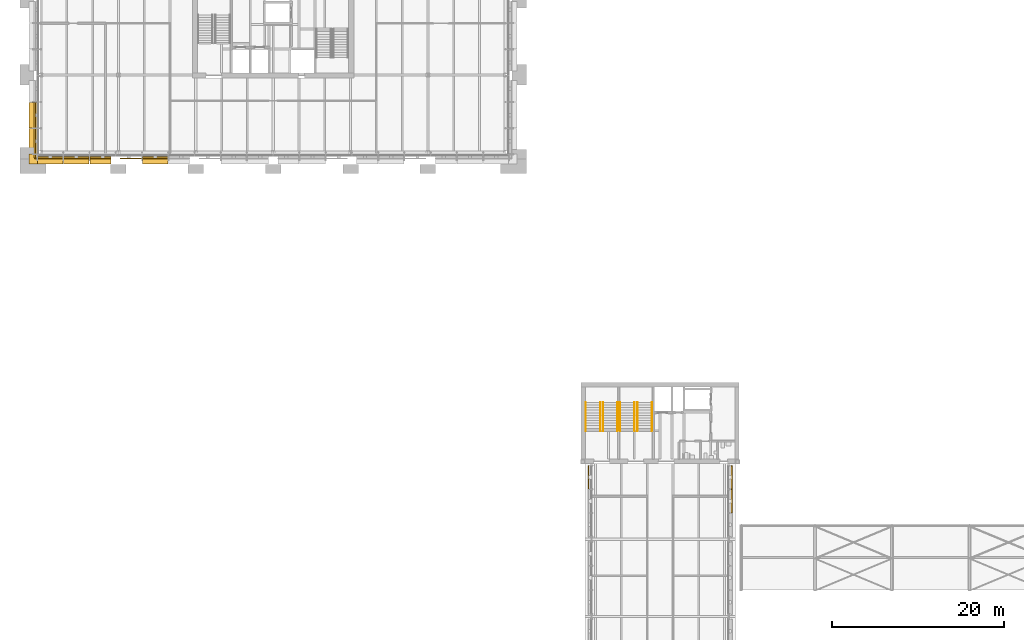
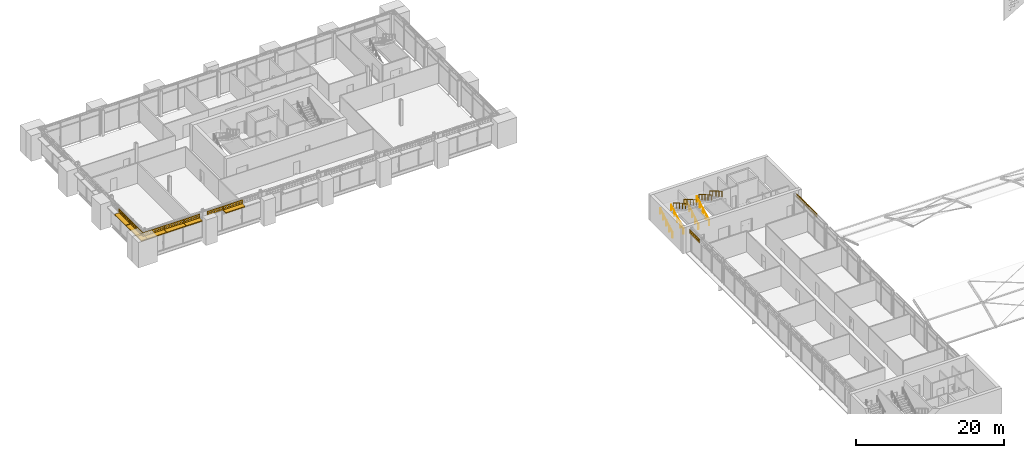
# One storey, part 45 of 54: 17 shading devices, 8 railings.
"""IFC4 building model written with IfcOpenShell, lengths in metres."""

import ifcopenshell
import ifcopenshell.guid

model = None  # the IFC model being written
_history = None  # IfcOwnerHistory: only IFC2X3 demands one
_inside = {}  # id of a spatial element -> (the spatial element, [elements in it])
_under = {}  # id of a project, library or spatial element -> (it, [spatial elements below it])
_declared = {}  # id of a project -> (the project, [libraries it declares])
_typed = {}  # id of a type object -> (the type object, [elements of that type])
_made_of = {}  # id of a material, layer set ... -> (it, [elements and type objects made of it])


def new_model(schema):
    """Start an empty IFC model of exactly this schema.

    Asked for "IFC4X3", IfcOpenShell would pick the latest addendum, in which some entities
    have other attributes; the version numbers below select the first issue.
    IFC2X3 requires an IfcOwnerHistory on every rooted entity: one is made here for all.
    """
    global model, _history
    if schema == "IFC4X3":
        model = ifcopenshell.file(schema_version=(4, 3, 0, 0))
    else:
        model = ifcopenshell.file(schema=schema)
    _inside.clear()
    _under.clear()
    _declared.clear()
    _typed.clear()
    _made_of.clear()
    _history = None
    if model.schema == "IFC2X3":
        org = make("IfcOrganization", Name="unknown")
        user = make(
            "IfcPersonAndOrganization",
            ThePerson=make("IfcPerson", FamilyName="unknown"),
            TheOrganization=org,
        )
        app = make(
            "IfcApplication",
            ApplicationDeveloper=org,
            Version="unknown",
            ApplicationFullName="unknown",
            ApplicationIdentifier="unknown",
        )
        _history = make(
            "IfcOwnerHistory",
            OwningUser=user,
            OwningApplication=app,
            ChangeAction="ADDED",
            CreationDate=0,
        )
    return model


def make(cls, **values):
    """One entity of the class cls with the attributes given. An attribute that is None is left unset."""
    return model.create_entity(
        cls, **{name: value for name, value in values.items() if value is not None}
    )


def rooted(cls, **values):
    """An entity with a GlobalId (a new one), such as an element, a storey or a relation."""
    return make(cls, GlobalId=ifcopenshell.guid.new(), OwnerHistory=_history, **values)


def si_unit(unit_type, name, prefix=None):
    """IfcSIUnit, for example si_unit("LENGTHUNIT", "METRE", prefix="MILLI")."""
    return make("IfcSIUnit", UnitType=unit_type, Prefix=prefix, Name=name)


def assignment(units):
    """IfcUnitAssignment: the units of a project."""
    return None if units is None else make("IfcUnitAssignment", Units=units)


def point(xyz):
    """IfcCartesianPoint."""
    return None if xyz is None else make("IfcCartesianPoint", Coordinates=xyz)


def direction(xyz):
    """IfcDirection."""
    return None if xyz is None else make("IfcDirection", DirectionRatios=xyz)


def frame(location, z_axis=None, x_axis=None):
    """IfcAxis2Placement3D, a coordinate frame: its origin and axes. An axis left out is left unset."""
    return make(
        "IfcAxis2Placement3D",
        Location=point(location),
        Axis=direction(z_axis),
        RefDirection=direction(x_axis),
    )


def frame_2d(location, x_axis=None):
    """IfcAxis2Placement2D, a coordinate frame in the plane: its origin and x axis."""
    return make(
        "IfcAxis2Placement2D", Location=point(location), RefDirection=direction(x_axis)
    )


def origin():
    """The frame at (0, 0, 0) with its axes left unset."""
    return frame((0.0, 0.0, 0.0))


def origin_2d():
    """The frame at (0, 0) in the plane with its x axis left unset."""
    return frame_2d((0.0, 0.0))


def place(relative_to, where):
    """IfcLocalPlacement: puts the frame where relative to a parent placement (None: the world)."""
    return make(
        "IfcLocalPlacement", PlacementRelTo=relative_to, RelativePlacement=where
    )


def context(
    kind, dimensions, precision=None, world=None, true_north=None, identifier=None
):
    """IfcGeometricRepresentationContext, for example the 3D "Model" context."""
    return make(
        "IfcGeometricRepresentationContext",
        ContextIdentifier=identifier,
        ContextType=kind,
        CoordinateSpaceDimension=dimensions,
        Precision=precision,
        WorldCoordinateSystem=world,
        TrueNorth=true_north,
    )


def subcontext(parent, identifier, kind, view, scale=None):
    """IfcGeometricRepresentationSubContext, for example "Body" below "Model"."""
    return make(
        "IfcGeometricRepresentationSubContext",
        ContextIdentifier=identifier,
        ContextType=kind,
        ParentContext=parent,
        TargetScale=scale,
        TargetView=view,
    )


def project(units=None, contexts=None):
    """IfcProject with its units and contexts."""
    return rooted(
        "IfcProject",
        Name="project",
        RepresentationContexts=contexts,
        UnitsInContext=assignment(units),
    )


def spatial(cls, under=None, at=None, **own):
    """A site, building, storey or space (cls), placed at a placement, below another one or the project."""
    s = rooted(cls, ObjectPlacement=at, **own)
    if under is not None:
        _under.setdefault(under.id(), (under, []))[1].append(s)
    return s


def polyline(points):
    """IfcPolyline through the points."""
    return make("IfcPolyline", Points=[point(p) for p in points])


def profile(cls, at=None, kind="AREA", **sizes):
    """A parametric profile (cls). Its sizes go by their IFC names, for example OverallWidth=200.0."""
    return make(cls, ProfileType=kind, Position=at, **sizes)


def rectangle(**sizes):
    """IfcRectangleProfileDef."""
    return profile("IfcRectangleProfileDef", **sizes)


def circle(**sizes):
    """IfcCircleProfileDef."""
    return profile("IfcCircleProfileDef", **sizes)


def outline(outer, holes=None, kind="AREA"):
    """IfcArbitraryClosedProfileDef: a profile drawn as a closed curve; with holes, ...WithVoids."""
    if holes is None:
        return make("IfcArbitraryClosedProfileDef", ProfileType=kind, OuterCurve=outer)
    return make(
        "IfcArbitraryProfileDefWithVoids",
        ProfileType=kind,
        OuterCurve=outer,
        InnerCurves=holes,
    )


def extrude(swept, where, along, depth):
    """IfcExtrudedAreaSolid: the profile swept, set in the frame where, extruded along a direction by depth."""
    return make(
        "IfcExtrudedAreaSolid",
        SweptArea=swept,
        Position=where,
        ExtrudedDirection=direction(along),
        Depth=depth,
    )


def shape(context_of_items, identifier, shape_type, items):
    """IfcShapeRepresentation: the items that make up one representation, for example the "Body"."""
    return make(
        "IfcShapeRepresentation",
        ContextOfItems=context_of_items,
        RepresentationIdentifier=identifier,
        RepresentationType=shape_type,
        Items=items,
    )


def material(Name=None, Category=None):
    """IfcMaterial."""
    return make("IfcMaterial", Name=Name, Category=Category)


def layer(
    of_material, thickness, ventilated=None, Name=None, Category=None, Priority=None
):
    """IfcMaterialLayer: one layer of a wall or slab, of a material (None: an air gap)."""
    return make(
        "IfcMaterialLayer",
        Material=of_material,
        LayerThickness=thickness,
        IsVentilated=ventilated,
        Name=Name,
        Category=Category,
        Priority=Priority,
    )


def layer_set(layers, Name=None):
    """IfcMaterialLayerSet."""
    return make("IfcMaterialLayerSet", MaterialLayers=layers, LayerSetName=Name)


def made_of(thing, what):
    """Note that an element or type object is made of a material, layer set ...; save() writes the relation."""
    if what is not None:
        _made_of.setdefault(what.id(), (what, []))[1].append(thing)
    return thing


def type_object(cls, material=None, **own):
    """A type object (cls), such as IfcWallType, which elements share."""
    return made_of(rooted(cls, **own), material)


def element(
    cls,
    number,
    at=None,
    inside=None,
    cuts=None,
    type_object=None,
    material=None,
    context=None,
    identifier="Body",
    shape_type=None,
    held_by="IfcProductDefinitionShape",
    body=None,
    shapes=None,
    **own,
):
    """One element of the class cls, such as IfcWall. Its Tag is "e" and its number.

    at: its placement. inside: the storey or other place that contains it. cuts: it is an
    opening in that element (IfcRelVoidsElement). A single representation is given by context,
    identifier, shape_type and body (its items); several are given by shapes. held_by: the class
    of the entity that holds the representations. save() writes the other relations.
    """
    e = rooted(cls, Tag="e%d" % number, ObjectPlacement=at, **own)
    if body is not None:
        shapes = [shape(context, identifier, shape_type, body)]
    if shapes is not None:
        e.Representation = make(held_by, Representations=shapes)
    if inside is not None:
        _inside.setdefault(inside.id(), (inside, []))[1].append(e)
    if cuts is not None:
        rooted(
            "IfcRelVoidsElement", RelatingBuildingElement=cuts, RelatedOpeningElement=e
        )
    if type_object is not None:
        _typed.setdefault(type_object.id(), (type_object, []))[1].append(e)
    return made_of(e, material)


def aggregate(whole, parts):
    """IfcRelAggregates: a whole, such as a stair, and the parts it consists of."""
    return rooted("IfcRelAggregates", RelatingObject=whole, RelatedObjects=parts)


def save(model, path):
    """Write the relations noted so far, then the file.

    IfcRelAggregates (storeys below a building ...), IfcRelContainedInSpatialStructure (elements
    in a storey), IfcRelDefinesByType, IfcRelAssociatesMaterial and IfcRelDeclares: one each for
    every whole, place, type object, material and project.
    """
    for whole, parts in _under.values():
        aggregate(whole, parts)
    for where, things in _inside.values():
        rooted(
            "IfcRelContainedInSpatialStructure",
            RelatedElements=things,
            RelatingStructure=where,
        )
    for kind, things in _typed.values():
        rooted("IfcRelDefinesByType", RelatedObjects=things, RelatingType=kind)
    for what, things in _made_of.values():
        rooted("IfcRelAssociatesMaterial", RelatedObjects=things, RelatingMaterial=what)
    for by, libraries in _declared.values():
        rooted("IfcRelDeclares", RelatingContext=by, RelatedDefinitions=libraries)
    model.write(path)


model = new_model("IFC4")

# Units and contexts
model_context = context("Model", 3, precision=1e-05, world=origin(), true_north=direction((0.0, 1.0)))
body_context = subcontext(model_context, "Body", "Model", "MODEL_VIEW")
ifc_project = project(units=[si_unit("LENGTHUNIT", "METRE"), si_unit("AREAUNIT", "SQUARE_METRE"), si_unit("VOLUMEUNIT", "CUBIC_METRE"), si_unit("PLANEANGLEUNIT", "RADIAN"), si_unit("MASSUNIT", "GRAM", prefix="KILO")], contexts=[model_context])

# Site, building, storey
site_placement = place(None, origin())
site = spatial("IfcSite", under=ifc_project, at=site_placement, CompositionType="ELEMENT")
building_placement = place(site_placement, origin())
building = spatial("IfcBuilding", under=site, at=building_placement, Name="Baradari Gate Terminus", CompositionType="ELEMENT")
storey_placement = place(building_placement, frame((0.0, 0.0, 15.89990234375)))
storey = spatial("IfcBuildingStorey", under=building, at=storey_placement, Name="L03", CompositionType="ELEMENT", Elevation=15.89990234375)

# Shading devices
ifc_material_1 = material(Name="Concrete C40/50 precast", Category="concrete")
ifc_layer_1 = layer(ifc_material_1, 0.14990234375)
ifc_layer_set_1 = layer_set([ifc_layer_1], Name="Concrete C40/50 precast")
shading_device_type_1 = type_object("IfcShadingDeviceType", Name="Chhajja band CJ-1 900x150", PredefinedType="AWNING", material=ifc_layer_set_1)
shading_device_1_placement = place(storey_placement, frame((10.072265625, 116.080078125, 3.332763671875), z_axis=(0.0, 0.0, 1.0), x_axis=(1.0, 0.0, 0.0)))
element("IfcShadingDevice", 1, at=shading_device_1_placement, inside=storey, type_object=shading_device_type_1, Name="Chhajja band CJ-1 L03/TS bay 1", PredefinedType="AWNING", context=body_context, shape_type="SweptSolid", body=[
    extrude(rectangle(XDim=2.939697265625, YDim=0.89990234375, at=origin_2d()), origin(), (0.0, 0.0, 1.0), 0.14990234375),
])
shading_device_2_placement = place(storey_placement, frame((13.1083984375, 116.080078125, 3.332763671875), z_axis=(0.0, 0.0, 1.0), x_axis=(1.0, 0.0, 0.0)))
element("IfcShadingDevice", 2, at=shading_device_2_placement, inside=storey, type_object=shading_device_type_1, Name="Chhajja band CJ-1 L03/TS bay 2", PredefinedType="AWNING", context=body_context, shape_type="SweptSolid", body=[
    extrude(rectangle(XDim=2.97216796875, YDim=0.89990234375, at=origin_2d()), origin(), (0.0, 0.0, 1.0), 0.14990234375),
])
shading_device_3_placement = place(storey_placement, frame((15.905517578125, 116.080078125, 3.332763671875), z_axis=(0.0, 0.0, 1.0), x_axis=(1.0, 0.0, 0.0)))
element("IfcShadingDevice", 3, at=shading_device_3_placement, inside=storey, type_object=shading_device_type_1, Name="Chhajja band CJ-1 L03/TS bay 3", PredefinedType="AWNING", context=body_context, shape_type="SweptSolid", body=[
    extrude(rectangle(XDim=2.462158203125, YDim=0.89990234375, at=origin_2d()), origin(), (0.0, 0.0, 1.0), 0.14990234375),
])
shading_device_4_placement = place(storey_placement, frame((22.264892578125, 116.080078125, 3.332763671875), z_axis=(0.0, 0.0, 1.0), x_axis=(1.0, 0.0, 0.0)))
element("IfcShadingDevice", 4, at=shading_device_4_placement, inside=storey, type_object=shading_device_type_1, Name="Chhajja band CJ-1 L03/TS bay 5", PredefinedType="AWNING", context=body_context, shape_type="SweptSolid", body=[
    extrude(rectangle(XDim=2.97216796875, YDim=0.89990234375, at=origin_2d()), origin(), (0.0, 0.0, 1.0), 0.14990234375),
])
shading_device_5_placement = place(storey_placement, frame((8.080078125, 118.2763671875, 3.332763671875), z_axis=(0.0, 0.0, 1.0), x_axis=(0.0, 1.0, 0.0)))
element("IfcShadingDevice", 5, at=shading_device_5_placement, inside=storey, type_object=shading_device_type_1, Name="Chhajja band CJ-1 L03/TW bay 1", PredefinedType="AWNING", context=body_context, shape_type="SweptSolid", body=[
    extrude(rectangle(XDim=2.947509765625, YDim=0.89990234375, at=origin_2d()), origin(), (0.0, 0.0, 1.0), 0.14990234375),
])
shading_device_6_placement = place(storey_placement, frame((8.080078125, 121.320068359375, 3.332763671875), z_axis=(0.0, 0.0, 1.0), x_axis=(0.0, 1.0, 0.0)))
element("IfcShadingDevice", 6, at=shading_device_6_placement, inside=storey, type_object=shading_device_type_1, Name="Chhajja band CJ-1 L03/TW bay 2", PredefinedType="AWNING", context=body_context, shape_type="SweptSolid", body=[
    extrude(rectangle(XDim=2.97998046875, YDim=0.89990234375, at=origin_2d()), origin(), (0.0, 0.0, 1.0), 0.14990234375),
])
shading_device_7_placement = place(storey_placement, frame((0.0, 0.0, 3.33251953125)))
element("IfcShadingDevice", 7, at=shading_device_7_placement, inside=storey, type_object=shading_device_type_1, Name="Chhajja band CJ-1 L03/SW corner", PredefinedType="AWNING", context=body_context, shape_type="SweptSolid", body=[
    extrude(outline(polyline([(7.6298828125, 116.802490234375), (8.530029296875, 116.802490234375), (8.530029296875, 116.530029296875), (8.6025390625, 116.530029296875), (8.6025390625, 115.6298828125), (7.6298828125, 115.6298828125), (7.6298828125, 116.802490234375)])), origin(), (0.0, 0.0, 1.0), 0.150146484375),
])

# Railings
ifc_material_2 = material(Name="Stainless steel 1.4301", Category="steel")
railing_type = type_object("IfcRailingType", Name="Handrail HR-1 900", PredefinedType="HANDRAIL", material=ifc_material_2)
for number, where, name in (
    (8, (72.360107421875, 84.60009765625, 0.175048828125), "Handrail ST-GN1 L03 flight 1"),
    (9, (74.0400390625, 84.60009765625, 0.175048828125), "Handrail ST-GN1 L03 flight 1"),
):
    element("IfcRailing", number, at=place(storey_placement, frame(where)), inside=storey, type_object=railing_type, Name=name, PredefinedType="HANDRAIL", context=body_context, shape_type="SweptSolid", body=[
        extrude(circle(Radius=0.02392578125, at=origin_2d()), frame((0.0, 0.0, 0.8759765625), z_axis=(0.0, 0.863760357493, 0.503902812876), x_axis=(-1.0, 0.0, 0.0)), (0.0, 0.0, 1.0), 3.8203125),
        extrude(circle(Radius=0.02099609375, at=origin_2d()), origin(), (0.0, 0.0, 1.0), 0.851806640625),
        extrude(circle(Radius=0.02099609375, at=origin_2d()), frame((0.0, 0.824951171875, 0.481201171875)), (0.0, 0.0, 1.0), 0.851806640625),
        extrude(circle(Radius=0.02099609375, at=origin_2d()), frame((0.0, 1.64990234375, 0.96240234375)), (0.0, 0.0, 1.0), 0.851806640625),
        extrude(circle(Radius=0.02099609375, at=origin_2d()), frame((0.0, 2.474853515625, 1.44384765625)), (0.0, 0.0, 1.0), 0.851806640625),
        extrude(circle(Radius=0.02099609375, at=origin_2d()), frame((0.0, 3.2998046875, 1.925048828125)), (0.0, 0.0, 1.0), 0.851806640625),
    ])
for number, where, name in (
    (10, (74.360107421875, 87.89990234375, 2.275146484375), "Handrail ST-GN1 L03 flight 2"),
    (11, (76.0400390625, 87.89990234375, 2.275146484375), "Handrail ST-GN1 L03 flight 2"),
):
    element("IfcRailing", number, at=place(storey_placement, frame(where)), inside=storey, type_object=railing_type, Name=name, PredefinedType="HANDRAIL", context=body_context, shape_type="SweptSolid", body=[
        extrude(circle(Radius=0.02392578125, at=origin_2d()), frame((0.0, 0.0, 0.8759765625), z_axis=(0.0, -0.863760357493, 0.503902812876), x_axis=(1.0, 0.0, 0.0)), (0.0, 0.0, 1.0), 3.8203125),
        extrude(circle(Radius=0.02099609375, at=origin_2d()), origin(), (0.0, 0.0, 1.0), 0.851806640625),
        extrude(circle(Radius=0.02099609375, at=origin_2d()), frame((0.0, -0.824951171875, 0.481201171875)), (0.0, 0.0, 1.0), 0.851806640625),
        extrude(circle(Radius=0.02099609375, at=origin_2d()), frame((0.0, -1.64990234375, 0.96240234375)), (0.0, 0.0, 1.0), 0.851806640625),
        extrude(circle(Radius=0.02099609375, at=origin_2d()), frame((0.0, -2.474853515625, 1.44384765625)), (0.0, 0.0, 1.0), 0.851806640625),
        extrude(circle(Radius=0.02099609375, at=origin_2d()), frame((0.0, -3.2998046875, 1.925048828125)), (0.0, 0.0, 1.0), 0.851806640625),
    ])
for number, where, name in (
    (12, (76.360107421875, 84.60009765625, 0.175048828125), "Handrail ST-GN2 L03 flight 1"),
    (13, (78.0400390625, 84.60009765625, 0.175048828125), "Handrail ST-GN2 L03 flight 1"),
):
    element("IfcRailing", number, at=place(storey_placement, frame(where)), inside=storey, type_object=railing_type, Name=name, PredefinedType="HANDRAIL", context=body_context, shape_type="SweptSolid", body=[
        extrude(circle(Radius=0.02392578125, at=origin_2d()), frame((0.0, 0.0, 0.8759765625), z_axis=(0.0, 0.863760357493, 0.503902812876), x_axis=(-1.0, 0.0, 0.0)), (0.0, 0.0, 1.0), 3.8203125),
        extrude(circle(Radius=0.02099609375, at=origin_2d()), origin(), (0.0, 0.0, 1.0), 0.851806640625),
        extrude(circle(Radius=0.02099609375, at=origin_2d()), frame((0.0, 0.824951171875, 0.481201171875)), (0.0, 0.0, 1.0), 0.851806640625),
        extrude(circle(Radius=0.02099609375, at=origin_2d()), frame((0.0, 1.64990234375, 0.96240234375)), (0.0, 0.0, 1.0), 0.851806640625),
        extrude(circle(Radius=0.02099609375, at=origin_2d()), frame((0.0, 2.474853515625, 1.44384765625)), (0.0, 0.0, 1.0), 0.851806640625),
        extrude(circle(Radius=0.02099609375, at=origin_2d()), frame((0.0, 3.2998046875, 1.925048828125)), (0.0, 0.0, 1.0), 0.851806640625),
    ])
for number, where, name in (
    (14, (78.360107421875, 87.89990234375, 2.275146484375), "Handrail ST-GN2 L03 flight 2"),
    (15, (80.0400390625, 87.89990234375, 2.275146484375), "Handrail ST-GN2 L03 flight 2"),
):
    element("IfcRailing", number, at=place(storey_placement, frame(where)), inside=storey, type_object=railing_type, Name=name, PredefinedType="HANDRAIL", context=body_context, shape_type="SweptSolid", body=[
        extrude(circle(Radius=0.02392578125, at=origin_2d()), frame((0.0, 0.0, 0.8759765625), z_axis=(0.0, -0.863760357493, 0.503902812876), x_axis=(1.0, 0.0, 0.0)), (0.0, 0.0, 1.0), 3.8203125),
        extrude(circle(Radius=0.02099609375, at=origin_2d()), origin(), (0.0, 0.0, 1.0), 0.851806640625),
        extrude(circle(Radius=0.02099609375, at=origin_2d()), frame((0.0, -0.824951171875, 0.481201171875)), (0.0, 0.0, 1.0), 0.851806640625),
        extrude(circle(Radius=0.02099609375, at=origin_2d()), frame((0.0, -1.64990234375, 0.96240234375)), (0.0, 0.0, 1.0), 0.851806640625),
        extrude(circle(Radius=0.02099609375, at=origin_2d()), frame((0.0, -2.474853515625, 1.44384765625)), (0.0, 0.0, 1.0), 0.851806640625),
        extrude(circle(Radius=0.02099609375, at=origin_2d()), frame((0.0, -3.2998046875, 1.925048828125)), (0.0, 0.0, 1.0), 0.851806640625),
    ])

# Shading devices
ifc_material_3 = material(Name="Concrete C50/60 precast", Category="concrete")
ifc_layer_2 = layer(ifc_material_3, 0.10009765625)
ifc_layer_set_2 = layer_set([ifc_layer_2], Name="Concrete C50/60 precast")
shading_device_type_2 = type_object("IfcShadingDeviceType", Name="Jali screen panel JS-1 100", PredefinedType="SHUTTER", material=ifc_layer_set_2)
shading_device_8_placement = place(storey_placement, frame((8.262451171875, 116.280029296875, 3.583740234375), z_axis=(0.0, 0.0, 1.0), x_axis=(1.0, 0.0, 0.0)))
element("IfcShadingDevice", 16, at=shading_device_8_placement, inside=storey, type_object=shading_device_type_2, Name="Jali screen panel JS-1 L03/TS bay 1", PredefinedType="SHUTTER", context=body_context, shape_type="SweptSolid", body=[
    extrude(outline(polyline([(0.0, 0.0), (3.2998046875, 0.0), (3.2998046875, 0.60009765625), (0.0, 0.60009765625), (0.0, 0.0)]), holes=[polyline([(0.336181640625, 0.300048828125), (0.271240234375, 0.1875), (0.14111328125, 0.1875), (0.076171875, 0.300048828125), (0.14111328125, 0.41259765625), (0.271240234375, 0.41259765625), (0.336181640625, 0.300048828125)]), polyline([(0.748779296875, 0.300048828125), (0.68359375, 0.1875), (0.5537109375, 0.1875), (0.48876953125, 0.300048828125), (0.5537109375, 0.41259765625), (0.68359375, 0.41259765625), (0.748779296875, 0.300048828125)]), polyline([(1.1611328125, 0.300048828125), (1.09619140625, 0.1875), (0.966064453125, 0.1875), (0.901123046875, 0.300048828125), (0.966064453125, 0.41259765625), (1.09619140625, 0.41259765625), (1.1611328125, 0.300048828125)]), polyline([(1.57373046875, 0.300048828125), (1.508544921875, 0.1875), (1.378662109375, 0.1875), (1.313720703125, 0.300048828125), (1.378662109375, 0.41259765625), (1.508544921875, 0.41259765625), (1.57373046875, 0.300048828125)]), polyline([(1.986083984375, 0.300048828125), (1.921142578125, 0.1875), (1.791015625, 0.1875), (1.72607421875, 0.300048828125), (1.791015625, 0.41259765625), (1.921142578125, 0.41259765625), (1.986083984375, 0.300048828125)]), polyline([(2.3984375, 0.300048828125), (2.33349609375, 0.1875), (2.20361328125, 0.1875), (2.138671875, 0.300048828125), (2.20361328125, 0.41259765625), (2.33349609375, 0.41259765625), (2.3984375, 0.300048828125)]), polyline([(2.81103515625, 0.300048828125), (2.74609375, 0.1875), (2.615966796875, 0.1875), (2.551025390625, 0.300048828125), (2.615966796875, 0.41259765625), (2.74609375, 0.41259765625), (2.81103515625, 0.300048828125)]), polyline([(3.223388671875, 0.300048828125), (3.158447265625, 0.1875), (3.028564453125, 0.1875), (2.96337890625, 0.300048828125), (3.028564453125, 0.41259765625), (3.158447265625, 0.41259765625), (3.223388671875, 0.300048828125)])]), frame((0.0, 0.050048828125, 0.0), z_axis=(0.0, -1.0, 0.0), x_axis=(1.0, 0.0, 0.0)), (0.0, 0.0, 1.0), 0.10009765625),
])
shading_device_9_placement = place(storey_placement, frame((11.602294921875, 116.280029296875, 3.583740234375), z_axis=(0.0, 0.0, 1.0), x_axis=(1.0, 0.0, 0.0)))
element("IfcShadingDevice", 17, at=shading_device_9_placement, inside=storey, type_object=shading_device_type_2, Name="Jali screen panel JS-1 L03/TS bay 2", PredefinedType="SHUTTER", context=body_context, shape_type="SweptSolid", body=[
    extrude(outline(polyline([(0.0, 0.0), (3.01220703125, 0.0), (3.01220703125, 0.60009765625), (0.0, 0.60009765625), (0.0, 0.0)]), holes=[polyline([(0.34521484375, 0.300048828125), (0.2802734375, 0.1875), (0.150146484375, 0.1875), (0.085205078125, 0.300048828125), (0.150146484375, 0.41259765625), (0.2802734375, 0.41259765625), (0.34521484375, 0.300048828125)]), polyline([(0.775390625, 0.300048828125), (0.71044921875, 0.1875), (0.58056640625, 0.1875), (0.515380859375, 0.300048828125), (0.58056640625, 0.41259765625), (0.71044921875, 0.41259765625), (0.775390625, 0.300048828125)]), polyline([(1.205810546875, 0.300048828125), (1.140869140625, 0.1875), (1.0107421875, 0.1875), (0.94580078125, 0.300048828125), (1.0107421875, 0.41259765625), (1.140869140625, 0.41259765625), (1.205810546875, 0.300048828125)]), polyline([(1.63623046875, 0.300048828125), (1.571044921875, 0.1875), (1.441162109375, 0.1875), (1.376220703125, 0.300048828125), (1.441162109375, 0.41259765625), (1.571044921875, 0.41259765625), (1.63623046875, 0.300048828125)]), polyline([(2.06640625, 0.300048828125), (2.00146484375, 0.1875), (1.871337890625, 0.1875), (1.806396484375, 0.300048828125), (1.871337890625, 0.41259765625), (2.00146484375, 0.41259765625), (2.06640625, 0.300048828125)]), polyline([(2.496826171875, 0.300048828125), (2.431640625, 0.1875), (2.3017578125, 0.1875), (2.23681640625, 0.300048828125), (2.3017578125, 0.41259765625), (2.431640625, 0.41259765625), (2.496826171875, 0.300048828125)]), polyline([(2.927001953125, 0.300048828125), (2.862060546875, 0.1875), (2.732177734375, 0.1875), (2.6669921875, 0.300048828125), (2.732177734375, 0.41259765625), (2.862060546875, 0.41259765625), (2.927001953125, 0.300048828125)])]), frame((0.0, 0.050048828125, 0.0), z_axis=(0.0, -1.0, 0.0), x_axis=(1.0, 0.0, 0.0)), (0.0, 0.0, 1.0), 0.10009765625),
])
shading_device_10_placement = place(storey_placement, frame((14.654541015625, 116.280029296875, 3.583740234375), z_axis=(0.0, 0.0, 1.0), x_axis=(1.0, 0.0, 0.0)))
element("IfcShadingDevice", 18, at=shading_device_10_placement, inside=storey, type_object=shading_device_type_2, Name="Jali screen panel JS-1 L03/TS bay 3", PredefinedType="SHUTTER", context=body_context, shape_type="SweptSolid", body=[
    extrude(outline(polyline([(0.0, 0.0), (2.482177734375, 0.0), (2.482177734375, 0.60009765625), (0.0, 0.60009765625), (0.0, 0.0)]), holes=[polyline([(0.3369140625, 0.300048828125), (0.27197265625, 0.1875), (0.141845703125, 0.1875), (0.076904296875, 0.300048828125), (0.141845703125, 0.41259765625), (0.27197265625, 0.41259765625), (0.3369140625, 0.300048828125)]), polyline([(0.75048828125, 0.300048828125), (0.685546875, 0.1875), (0.5556640625, 0.1875), (0.490478515625, 0.300048828125), (0.5556640625, 0.41259765625), (0.685546875, 0.41259765625), (0.75048828125, 0.300048828125)]), polyline([(1.164306640625, 0.300048828125), (1.099365234375, 0.1875), (0.96923828125, 0.1875), (0.904296875, 0.300048828125), (0.96923828125, 0.41259765625), (1.099365234375, 0.41259765625), (1.164306640625, 0.300048828125)]), polyline([(1.577880859375, 0.300048828125), (1.512939453125, 0.1875), (1.383056640625, 0.1875), (1.31787109375, 0.300048828125), (1.383056640625, 0.41259765625), (1.512939453125, 0.41259765625), (1.577880859375, 0.300048828125)]), polyline([(1.99169921875, 0.300048828125), (1.9267578125, 0.1875), (1.796630859375, 0.1875), (1.731689453125, 0.300048828125), (1.796630859375, 0.41259765625), (1.9267578125, 0.41259765625), (1.99169921875, 0.300048828125)]), polyline([(2.4052734375, 0.300048828125), (2.34033203125, 0.1875), (2.21044921875, 0.1875), (2.145263671875, 0.300048828125), (2.21044921875, 0.41259765625), (2.34033203125, 0.41259765625), (2.4052734375, 0.300048828125)])]), frame((0.0, 0.050048828125, 0.0), z_axis=(0.0, -1.0, 0.0), x_axis=(1.0, 0.0, 0.0)), (0.0, 0.0, 1.0), 0.10009765625),
])
shading_device_11_placement = place(storey_placement, frame((18.236572265625, 116.280029296875, 3.583740234375), z_axis=(0.0, 0.0, 1.0), x_axis=(1.0, 0.0, 0.0)))
element("IfcShadingDevice", 19, at=shading_device_11_placement, inside=storey, type_object=shading_device_type_2, Name="Jali screen panel JS-1 L03/TS bay 4", PredefinedType="SHUTTER", context=body_context, shape_type="SweptSolid", body=[
    extrude(outline(polyline([(0.0, 0.0), (2.482421875, 0.0), (2.482421875, 0.60009765625), (0.0, 0.60009765625), (0.0, 0.0)]), holes=[polyline([(0.3369140625, 0.300048828125), (0.27197265625, 0.1875), (0.141845703125, 0.1875), (0.076904296875, 0.300048828125), (0.141845703125, 0.41259765625), (0.27197265625, 0.41259765625), (0.3369140625, 0.300048828125)]), polyline([(0.75048828125, 0.300048828125), (0.685546875, 0.1875), (0.5556640625, 0.1875), (0.490478515625, 0.300048828125), (0.5556640625, 0.41259765625), (0.685546875, 0.41259765625), (0.75048828125, 0.300048828125)]), polyline([(1.164306640625, 0.300048828125), (1.099365234375, 0.1875), (0.96923828125, 0.1875), (0.904296875, 0.300048828125), (0.96923828125, 0.41259765625), (1.099365234375, 0.41259765625), (1.164306640625, 0.300048828125)]), polyline([(1.577880859375, 0.300048828125), (1.512939453125, 0.1875), (1.383056640625, 0.1875), (1.31787109375, 0.300048828125), (1.383056640625, 0.41259765625), (1.512939453125, 0.41259765625), (1.577880859375, 0.300048828125)]), polyline([(1.99169921875, 0.300048828125), (1.9267578125, 0.1875), (1.796630859375, 0.1875), (1.731689453125, 0.300048828125), (1.796630859375, 0.41259765625), (1.9267578125, 0.41259765625), (1.99169921875, 0.300048828125)]), polyline([(2.4052734375, 0.300048828125), (2.34033203125, 0.1875), (2.21044921875, 0.1875), (2.145263671875, 0.300048828125), (2.21044921875, 0.41259765625), (2.34033203125, 0.41259765625), (2.4052734375, 0.300048828125)])]), frame((0.0, 0.050048828125, 0.0), z_axis=(0.0, -1.0, 0.0), x_axis=(1.0, 0.0, 0.0)), (0.0, 0.0, 1.0), 0.10009765625),
])
shading_device_12_placement = place(storey_placement, frame((20.7587890625, 116.280029296875, 3.583740234375), z_axis=(0.0, 0.0, 1.0), x_axis=(1.0, 0.0, 0.0)))
element("IfcShadingDevice", 20, at=shading_device_12_placement, inside=storey, type_object=shading_device_type_2, Name="Jali screen panel JS-1 L03/TS bay 5", PredefinedType="SHUTTER", context=body_context, shape_type="SweptSolid", body=[
    extrude(outline(polyline([(0.0, 0.0), (3.01220703125, 0.0), (3.01220703125, 0.60009765625), (0.0, 0.60009765625), (0.0, 0.0)]), holes=[polyline([(0.34521484375, 0.300048828125), (0.2802734375, 0.1875), (0.150146484375, 0.1875), (0.085205078125, 0.300048828125), (0.150146484375, 0.41259765625), (0.2802734375, 0.41259765625), (0.34521484375, 0.300048828125)]), polyline([(0.775390625, 0.300048828125), (0.71044921875, 0.1875), (0.58056640625, 0.1875), (0.515380859375, 0.300048828125), (0.58056640625, 0.41259765625), (0.71044921875, 0.41259765625), (0.775390625, 0.300048828125)]), polyline([(1.205810546875, 0.300048828125), (1.140869140625, 0.1875), (1.0107421875, 0.1875), (0.94580078125, 0.300048828125), (1.0107421875, 0.41259765625), (1.140869140625, 0.41259765625), (1.205810546875, 0.300048828125)]), polyline([(1.63623046875, 0.300048828125), (1.571044921875, 0.1875), (1.441162109375, 0.1875), (1.376220703125, 0.300048828125), (1.441162109375, 0.41259765625), (1.571044921875, 0.41259765625), (1.63623046875, 0.300048828125)]), polyline([(2.06640625, 0.300048828125), (2.00146484375, 0.1875), (1.871337890625, 0.1875), (1.806396484375, 0.300048828125), (1.871337890625, 0.41259765625), (2.00146484375, 0.41259765625), (2.06640625, 0.300048828125)]), polyline([(2.496826171875, 0.300048828125), (2.431640625, 0.1875), (2.3017578125, 0.1875), (2.23681640625, 0.300048828125), (2.3017578125, 0.41259765625), (2.431640625, 0.41259765625), (2.496826171875, 0.300048828125)]), polyline([(2.927001953125, 0.300048828125), (2.862060546875, 0.1875), (2.732177734375, 0.1875), (2.6669921875, 0.300048828125), (2.732177734375, 0.41259765625), (2.862060546875, 0.41259765625), (2.927001953125, 0.300048828125)])]), frame((0.0, 0.050048828125, 0.0), z_axis=(0.0, -1.0, 0.0), x_axis=(1.0, 0.0, 0.0)), (0.0, 0.0, 1.0), 0.10009765625),
])
shading_device_13_placement = place(storey_placement, frame((8.280029296875, 116.362548828125, 3.583740234375), z_axis=(0.0, 0.0, 1.0), x_axis=(0.0, 1.0, 0.0)))
element("IfcShadingDevice", 21, at=shading_device_13_placement, inside=storey, type_object=shading_device_type_2, Name="Jali screen panel JS-1 L03/TW bay 1", PredefinedType="SHUTTER", context=body_context, shape_type="SweptSolid", body=[
    extrude(outline(polyline([(0.0, 0.0), (3.407470703125, 0.0), (3.407470703125, 0.60009765625), (0.0, 0.60009765625), (0.0, 0.0)]), holes=[polyline([(0.343017578125, 0.300048828125), (0.278076171875, 0.1875), (0.14794921875, 0.1875), (0.0830078125, 0.300048828125), (0.14794921875, 0.41259765625), (0.278076171875, 0.41259765625), (0.343017578125, 0.300048828125)]), polyline([(0.768798828125, 0.300048828125), (0.703857421875, 0.1875), (0.573974609375, 0.1875), (0.5087890625, 0.300048828125), (0.573974609375, 0.41259765625), (0.703857421875, 0.41259765625), (0.768798828125, 0.300048828125)]), polyline([(1.19482421875, 0.300048828125), (1.1298828125, 0.1875), (0.999755859375, 0.1875), (0.934814453125, 0.300048828125), (0.999755859375, 0.41259765625), (1.1298828125, 0.41259765625), (1.19482421875, 0.300048828125)]), polyline([(1.620849609375, 0.300048828125), (1.5556640625, 0.1875), (1.42578125, 0.1875), (1.36083984375, 0.300048828125), (1.42578125, 0.41259765625), (1.5556640625, 0.41259765625), (1.620849609375, 0.300048828125)]), polyline([(2.046630859375, 0.300048828125), (1.981689453125, 0.1875), (1.851806640625, 0.1875), (1.78662109375, 0.300048828125), (1.851806640625, 0.41259765625), (1.981689453125, 0.41259765625), (2.046630859375, 0.300048828125)]), polyline([(2.47265625, 0.300048828125), (2.40771484375, 0.1875), (2.277587890625, 0.1875), (2.212646484375, 0.300048828125), (2.277587890625, 0.41259765625), (2.40771484375, 0.41259765625), (2.47265625, 0.300048828125)]), polyline([(2.898681640625, 0.300048828125), (2.83349609375, 0.1875), (2.70361328125, 0.1875), (2.638671875, 0.300048828125), (2.70361328125, 0.41259765625), (2.83349609375, 0.41259765625), (2.898681640625, 0.300048828125)]), polyline([(3.324462890625, 0.300048828125), (3.259521484375, 0.1875), (3.129638671875, 0.1875), (3.064453125, 0.300048828125), (3.129638671875, 0.41259765625), (3.259521484375, 0.41259765625), (3.324462890625, 0.300048828125)])]), frame((0.0, 0.050048828125, 0.0), z_axis=(0.0, -1.0, 0.0), x_axis=(1.0, 0.0, 0.0)), (0.0, 0.0, 1.0), 0.10009765625),
])
shading_device_14_placement = place(storey_placement, frame((8.280029296875, 119.81005859375, 3.583740234375), z_axis=(0.0, 0.0, 1.0), x_axis=(0.0, 1.0, 0.0)))
element("IfcShadingDevice", 22, at=shading_device_14_placement, inside=storey, type_object=shading_device_type_2, Name="Jali screen panel JS-1 L03/TW bay 2", PredefinedType="SHUTTER", context=body_context, shape_type="SweptSolid", body=[
    extrude(outline(polyline([(0.0, 0.0), (3.02001953125, 0.0), (3.02001953125, 0.60009765625), (0.0, 0.60009765625), (0.0, 0.0)]), holes=[polyline([(0.345703125, 0.300048828125), (0.28076171875, 0.1875), (0.150634765625, 0.1875), (0.085693359375, 0.300048828125), (0.150634765625, 0.41259765625), (0.28076171875, 0.41259765625), (0.345703125, 0.300048828125)]), polyline([(0.777099609375, 0.300048828125), (0.712158203125, 0.1875), (0.58203125, 0.1875), (0.51708984375, 0.300048828125), (0.58203125, 0.41259765625), (0.712158203125, 0.41259765625), (0.777099609375, 0.300048828125)]), polyline([(1.20849609375, 0.300048828125), (1.1435546875, 0.1875), (1.013671875, 0.1875), (0.948486328125, 0.300048828125), (1.013671875, 0.41259765625), (1.1435546875, 0.41259765625), (1.20849609375, 0.300048828125)]), polyline([(1.639892578125, 0.300048828125), (1.574951171875, 0.1875), (1.445068359375, 0.1875), (1.3798828125, 0.300048828125), (1.445068359375, 0.41259765625), (1.574951171875, 0.41259765625), (1.639892578125, 0.300048828125)]), polyline([(2.071533203125, 0.300048828125), (2.00634765625, 0.1875), (1.87646484375, 0.1875), (1.8115234375, 0.300048828125), (1.87646484375, 0.41259765625), (2.00634765625, 0.41259765625), (2.071533203125, 0.300048828125)]), polyline([(2.5029296875, 0.300048828125), (2.437744140625, 0.1875), (2.307861328125, 0.1875), (2.242919921875, 0.300048828125), (2.307861328125, 0.41259765625), (2.437744140625, 0.41259765625), (2.5029296875, 0.300048828125)]), polyline([(2.934326171875, 0.300048828125), (2.869384765625, 0.1875), (2.7392578125, 0.1875), (2.67431640625, 0.300048828125), (2.7392578125, 0.41259765625), (2.869384765625, 0.41259765625), (2.934326171875, 0.300048828125)])]), frame((0.0, 0.050048828125, 0.0), z_axis=(0.0, -1.0, 0.0), x_axis=(1.0, 0.0, 0.0)), (0.0, 0.0, 1.0), 0.10009765625),
])
ifc_material_4 = material(Name="Concrete C50/60 precast", Category="concrete")
ifc_layer_3 = layer(ifc_material_4, 0.080078125)
ifc_layer_set_3 = layer_set([ifc_layer_3], Name="Concrete C50/60 precast")
shading_device_type_3 = type_object("IfcShadingDeviceType", Name="Jali screen panel JS-3 80", PredefinedType="SHUTTER", material=ifc_layer_set_3)
shading_device_15_placement = place(storey_placement, frame((72.659912109375, 77.836669921875, 3.280029296875), z_axis=(0.0, 0.0, 1.0), x_axis=(0.0, 1.0, 0.0)))
element("IfcShadingDevice", 23, at=shading_device_15_placement, inside=storey, type_object=shading_device_type_3, Name="Jali screen panel JS-1 L03/GW5 bay 3", PredefinedType="SHUTTER", context=body_context, shape_type="SweptSolid", body=[
    extrude(outline(polyline([(0.0, 0.0), (2.723388671875, 0.0), (2.723388671875, 0.60009765625), (0.0, 0.60009765625), (0.0, 0.0)]), holes=[polyline([(0.35693359375, 0.300048828125), (0.2919921875, 0.1875), (0.161865234375, 0.1875), (0.096923828125, 0.300048828125), (0.161865234375, 0.41259765625), (0.2919921875, 0.41259765625), (0.35693359375, 0.300048828125)]), polyline([(0.810791015625, 0.300048828125), (0.745849609375, 0.1875), (0.61572265625, 0.1875), (0.55078125, 0.300048828125), (0.61572265625, 0.41259765625), (0.745849609375, 0.41259765625), (0.810791015625, 0.300048828125)]), polyline([(1.2646484375, 0.300048828125), (1.19970703125, 0.1875), (1.06982421875, 0.1875), (1.004638671875, 0.300048828125), (1.06982421875, 0.41259765625), (1.19970703125, 0.41259765625), (1.2646484375, 0.300048828125)]), polyline([(1.718505859375, 0.300048828125), (1.653564453125, 0.1875), (1.523681640625, 0.1875), (1.45849609375, 0.300048828125), (1.523681640625, 0.41259765625), (1.653564453125, 0.41259765625), (1.718505859375, 0.300048828125)]), polyline([(2.172607421875, 0.300048828125), (2.107421875, 0.1875), (1.9775390625, 0.1875), (1.91259765625, 0.300048828125), (1.9775390625, 0.41259765625), (2.107421875, 0.41259765625), (2.172607421875, 0.300048828125)]), polyline([(2.62646484375, 0.300048828125), (2.561279296875, 0.1875), (2.431396484375, 0.1875), (2.366455078125, 0.300048828125), (2.431396484375, 0.41259765625), (2.561279296875, 0.41259765625), (2.62646484375, 0.300048828125)])]), frame((0.0, 0.0400390625, 0.0), z_axis=(0.0, -1.0, 0.0), x_axis=(1.0, 0.0, 0.0)), (0.0, 0.0, 1.0), 0.080078125),
])
shading_device_16_placement = place(storey_placement, frame((89.340087890625, 75.05322265625, 3.280029296875), z_axis=(0.0, 0.0, 1.0), x_axis=(0.0, 1.0, 0.0)))
element("IfcShadingDevice", 24, at=shading_device_16_placement, inside=storey, type_object=shading_device_type_3, Name="Jali screen panel JS-1 L03/GE5 bay 2", PredefinedType="SHUTTER", context=body_context, shape_type="SweptSolid", body=[
    extrude(outline(polyline([(0.0, 0.0), (2.743408203125, 0.0), (2.743408203125, 0.60009765625), (0.0, 0.60009765625), (0.0, 0.0)]), holes=[polyline([(0.325927734375, 0.300048828125), (0.260986328125, 0.1875), (0.130859375, 0.1875), (0.06591796875, 0.300048828125), (0.130859375, 0.41259765625), (0.260986328125, 0.41259765625), (0.325927734375, 0.300048828125)]), polyline([(0.7177734375, 0.300048828125), (0.65283203125, 0.1875), (0.52294921875, 0.1875), (0.457763671875, 0.300048828125), (0.52294921875, 0.41259765625), (0.65283203125, 0.41259765625), (0.7177734375, 0.300048828125)]), polyline([(1.10986328125, 0.300048828125), (1.044677734375, 0.1875), (0.914794921875, 0.1875), (0.849853515625, 0.300048828125), (0.914794921875, 0.41259765625), (1.044677734375, 0.41259765625), (1.10986328125, 0.300048828125)]), polyline([(1.501708984375, 0.300048828125), (1.436767578125, 0.1875), (1.306640625, 0.1875), (1.24169921875, 0.300048828125), (1.306640625, 0.41259765625), (1.436767578125, 0.41259765625), (1.501708984375, 0.300048828125)]), polyline([(1.8935546875, 0.300048828125), (1.82861328125, 0.1875), (1.698486328125, 0.1875), (1.633544921875, 0.300048828125), (1.698486328125, 0.41259765625), (1.82861328125, 0.41259765625), (1.8935546875, 0.300048828125)]), polyline([(2.285400390625, 0.300048828125), (2.220458984375, 0.1875), (2.090576171875, 0.1875), (2.025390625, 0.300048828125), (2.090576171875, 0.41259765625), (2.220458984375, 0.41259765625), (2.285400390625, 0.300048828125)]), polyline([(2.677490234375, 0.300048828125), (2.6123046875, 0.1875), (2.482421875, 0.1875), (2.41748046875, 0.300048828125), (2.482421875, 0.41259765625), (2.6123046875, 0.41259765625), (2.677490234375, 0.300048828125)])]), frame((0.0, 0.0400390625, 0.0), z_axis=(0.0, -1.0, 0.0), x_axis=(1.0, 0.0, 0.0)), (0.0, 0.0, 1.0), 0.080078125),
])
shading_device_17_placement = place(storey_placement, frame((89.340087890625, 77.836669921875, 3.280029296875), z_axis=(0.0, 0.0, 1.0), x_axis=(0.0, 1.0, 0.0)))
element("IfcShadingDevice", 25, at=shading_device_17_placement, inside=storey, type_object=shading_device_type_3, Name="Jali screen panel JS-1 L03/GE5 bay 3", PredefinedType="SHUTTER", context=body_context, shape_type="SweptSolid", body=[
    extrude(outline(polyline([(0.0, 0.0), (2.723388671875, 0.0), (2.723388671875, 0.60009765625), (0.0, 0.60009765625), (0.0, 0.0)]), holes=[polyline([(0.35693359375, 0.300048828125), (0.2919921875, 0.1875), (0.161865234375, 0.1875), (0.096923828125, 0.300048828125), (0.161865234375, 0.41259765625), (0.2919921875, 0.41259765625), (0.35693359375, 0.300048828125)]), polyline([(0.810791015625, 0.300048828125), (0.745849609375, 0.1875), (0.61572265625, 0.1875), (0.55078125, 0.300048828125), (0.61572265625, 0.41259765625), (0.745849609375, 0.41259765625), (0.810791015625, 0.300048828125)]), polyline([(1.2646484375, 0.300048828125), (1.19970703125, 0.1875), (1.06982421875, 0.1875), (1.004638671875, 0.300048828125), (1.06982421875, 0.41259765625), (1.19970703125, 0.41259765625), (1.2646484375, 0.300048828125)]), polyline([(1.718505859375, 0.300048828125), (1.653564453125, 0.1875), (1.523681640625, 0.1875), (1.45849609375, 0.300048828125), (1.523681640625, 0.41259765625), (1.653564453125, 0.41259765625), (1.718505859375, 0.300048828125)]), polyline([(2.172607421875, 0.300048828125), (2.107421875, 0.1875), (1.9775390625, 0.1875), (1.91259765625, 0.300048828125), (1.9775390625, 0.41259765625), (2.107421875, 0.41259765625), (2.172607421875, 0.300048828125)]), polyline([(2.62646484375, 0.300048828125), (2.561279296875, 0.1875), (2.431396484375, 0.1875), (2.366455078125, 0.300048828125), (2.431396484375, 0.41259765625), (2.561279296875, 0.41259765625), (2.62646484375, 0.300048828125)])]), frame((0.0, 0.0400390625, 0.0), z_axis=(0.0, -1.0, 0.0), x_axis=(1.0, 0.0, 0.0)), (0.0, 0.0, 1.0), 0.080078125),
])

save(model, "model.ifc")
